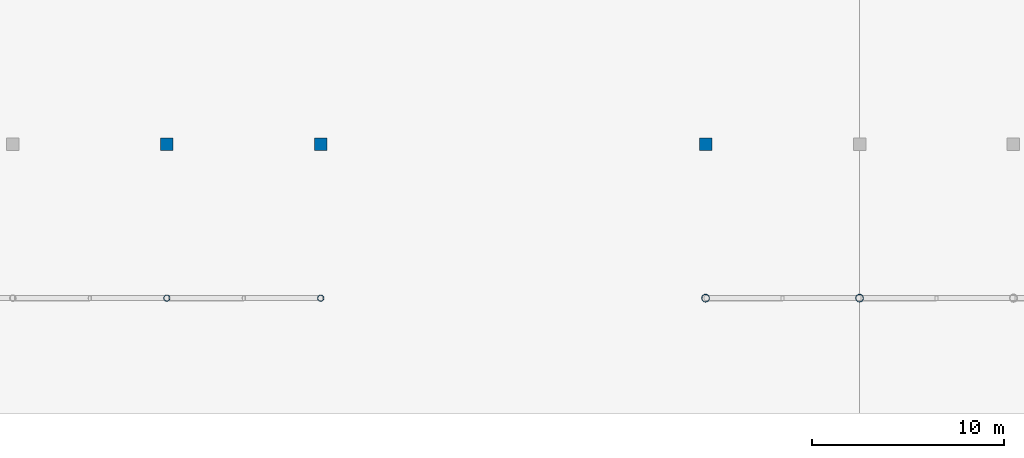
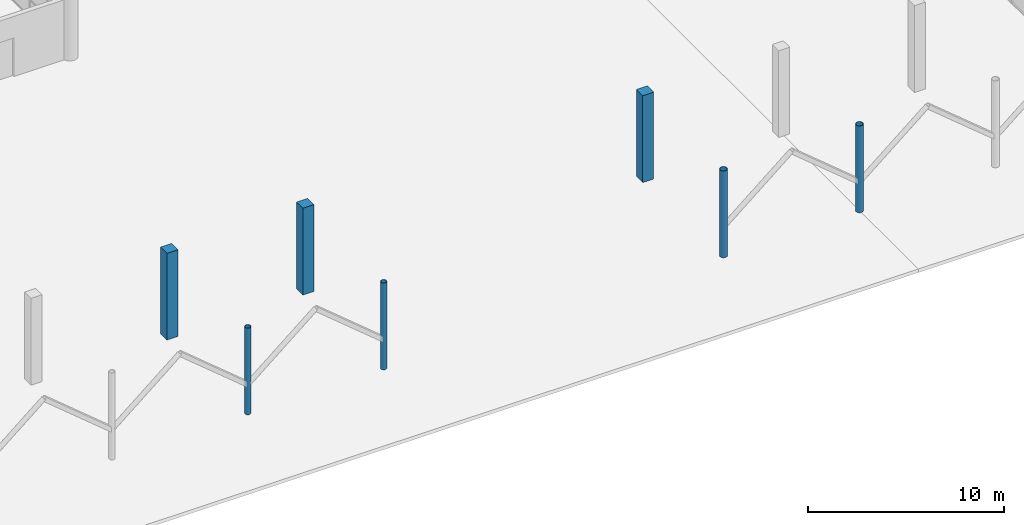
# One storey, part 7 of 123: 7 columns.
"""IFC4 building model written with IfcOpenShell, lengths in metres."""

from ifc_helpers import new_model, si_unit, direction, frame, origin, origin_2d, place, context, subcontext, project, spatial, rectangle, hollow_circle, extrude, material, material_profile, profile_set, type_object, element, save


model = new_model("IFC4")

# Units and contexts
model_context = context("Model", 3, precision=1e-05, world=origin(), true_north=direction((0.0, 1.0)))
body_context = subcontext(model_context, "Body", "Model", "MODEL_VIEW")
ifc_project = project(units=[si_unit("LENGTHUNIT", "METRE"), si_unit("AREAUNIT", "SQUARE_METRE"), si_unit("VOLUMEUNIT", "CUBIC_METRE"), si_unit("PLANEANGLEUNIT", "RADIAN"), si_unit("MASSUNIT", "GRAM", prefix="KILO")], contexts=[model_context])

# Site, building, storey
site_placement = place(None, origin())
site = spatial("IfcSite", under=ifc_project, at=site_placement, CompositionType="ELEMENT")
building_placement = place(site_placement, origin())
building = spatial("IfcBuilding", under=site, at=building_placement, Name="Tenunan Teduh Sports Hall", CompositionType="ELEMENT")
storey_placement = place(building_placement, origin())
storey = spatial("IfcBuildingStorey", under=building, at=storey_placement, Name="L00", CompositionType="ELEMENT", Elevation=0.0)

# Columns
ifc_material_1 = material(Name="Concrete C40/50", Category="concrete")
ifc_material_profile_1 = material_profile(ifc_material_1, rectangle(XDim=0.64990234375, YDim=0.64990234375, at=origin_2d()), Name="RC 650x650")
ifc_profile_set_1 = profile_set([ifc_material_profile_1], Name="Concrete C40/50")
column_type_1 = type_object("IfcColumnType", Name="COL-RC-650", PredefinedType="COLUMN", material=ifc_profile_set_1)
for number, where, z_axis, x_axis, name in (
    (1, (70.0, 14.0, 0.0), (0.0, 0.0, 1.0), (1.0, 0.0, 0.0), "COL-C-08-L00-098"),
    (2, (78.0, 14.0, 0.0), (0.0, 0.0, 1.0), (1.0, 0.0, 0.0), "COL-C-08-L00-110"),
    (3, (98.0, 14.0, 0.0), (0.0, 0.0, 1.0), (1.0, 0.0, 0.0), "COL-C-08-L00-121"),
):
    element("IfcColumn", number, at=place(storey_placement, frame(where, z_axis=z_axis, x_axis=x_axis)), inside=storey, type_object=column_type_1, Name=name, PredefinedType="COLUMN", context=body_context, shape_type="SweptSolid", body=[
        extrude(rectangle(XDim=0.64990234375, YDim=0.64990234375, at=origin_2d()), origin(), (0.0, 0.0, 1.0), 5.39990234375),
    ])
ifc_material_2 = material(Name="Steel S355", Category="steel")
ifc_material_profile_2 = material_profile(ifc_material_2, hollow_circle(Radius=0.161865234375, WallThickness=0.012451171875, at=origin_2d()), Name="CHS 323.9x12.5")
ifc_profile_set_2 = profile_set([ifc_material_profile_2], Name="Steel S355")
column_type_2 = type_object("IfcColumnType", Name="COL-ST-CHS324", PredefinedType="COLUMN", material=ifc_profile_set_2)
for number, where, z_axis, x_axis, name in (
    (4, (70.0, 6.0, 0.0), (0.0, 0.0, 1.0), (1.0, 0.0, 0.0), "COL-SC-06-L00-097"),
    (5, (78.0, 6.0, 0.0), (0.0, 0.0, 1.0), (1.0, 0.0, 0.0), "COL-SC-06-L00-109"),
):
    element("IfcColumn", number, at=place(storey_placement, frame(where, z_axis=z_axis, x_axis=x_axis)), inside=storey, type_object=column_type_2, Name=name, PredefinedType="COLUMN", context=body_context, shape_type="SweptSolid", body=[
        extrude(hollow_circle(Radius=0.161865234375, WallThickness=0.012451171875, at=origin_2d()), origin(), (0.0, 0.0, 1.0), 5.39990234375),
    ])
ifc_material_3 = material(Name="Steel S355", Category="steel")
ifc_material_profile_3 = material_profile(ifc_material_3, hollow_circle(Radius=0.203125, WallThickness=0.01611328125, at=origin_2d()), Name="CHS 406.4x16.0")
ifc_profile_set_3 = profile_set([ifc_material_profile_3], Name="Steel S355")
column_type_3 = type_object("IfcColumnType", Name="COL-ST-CHS406", PredefinedType="COLUMN", material=ifc_profile_set_3)
for number, where, z_axis, x_axis, name in (
    (6, (98.0, 6.0, 0.0), (0.0, 0.0, 1.0), (1.0, 0.0, 0.0), "COL-SC-05-L00-120"),
    (7, (106.0, 6.0, 0.0), (0.0, 0.0, 1.0), (1.0, 0.0, 0.0), "COL-SC-05-L00-130"),
):
    element("IfcColumn", number, at=place(storey_placement, frame(where, z_axis=z_axis, x_axis=x_axis)), inside=storey, type_object=column_type_3, Name=name, PredefinedType="COLUMN", context=body_context, shape_type="SweptSolid", body=[
        extrude(hollow_circle(Radius=0.203125, WallThickness=0.01611328125, at=origin_2d()), origin(), (0.0, 0.0, 1.0), 5.39990234375),
    ])

save(model, "model.ifc")
